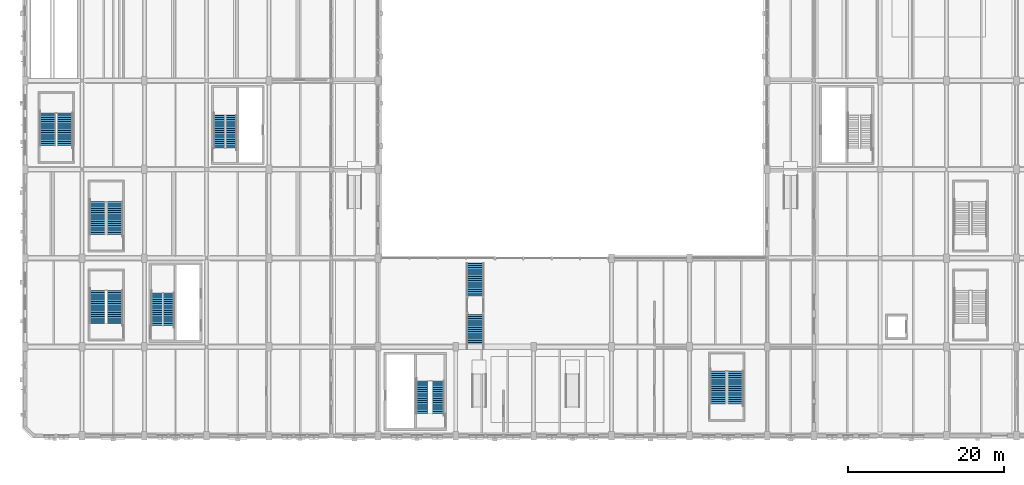
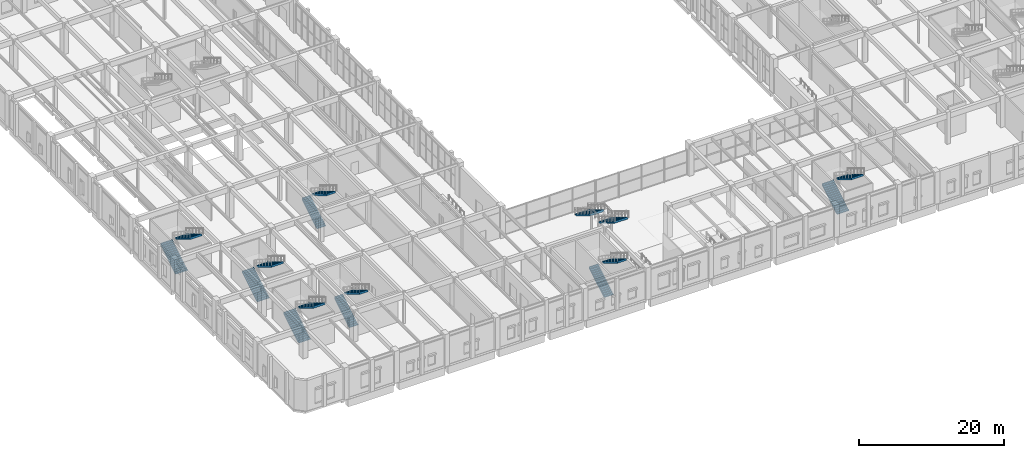
# One storey, part 94 of 113: 16 stair flights, 8 elements without a shape of their own.
"""IFC4 building model written with IfcOpenShell, lengths in metres."""

from ifc_helpers import new_model, si_unit, direction, frame, origin, place, context, subcontext, project, spatial, polyline, outline, extrude, material, type_object, element, aggregate, save


model = new_model("IFC4")

# Units and contexts
model_context = context("Model", 3, precision=1e-05, world=origin(), true_north=direction((0.0, 1.0)))
body_context = subcontext(model_context, "Body", "Model", "MODEL_VIEW")
ifc_project = project(units=[si_unit("LENGTHUNIT", "METRE"), si_unit("AREAUNIT", "SQUARE_METRE"), si_unit("VOLUMEUNIT", "CUBIC_METRE"), si_unit("PLANEANGLEUNIT", "RADIAN"), si_unit("MASSUNIT", "GRAM", prefix="KILO"), si_unit("POWERUNIT", "WATT"), si_unit("THERMODYNAMICTEMPERATUREUNIT", "KELVIN")], contexts=[model_context])

# Site, building, storey
site_placement = place(None, origin())
site = spatial("IfcSite", under=ifc_project, at=site_placement, CompositionType="ELEMENT")
building_placement = place(site_placement, origin())
building = spatial("IfcBuilding", under=site, at=building_placement, Name="Kelmbourne Parkland Aquatics Centre", CompositionType="ELEMENT")
storey_placement = place(building_placement, origin())
storey = spatial("IfcBuildingStorey", under=building, at=storey_placement, Name="L00", CompositionType="ELEMENT", Elevation=0.0)

# Stair, stair flights
ifc_material = material(Name="Concrete C40/50", Category="concrete")
stair_type_1 = type_object("IfcStairType", Name="ST-FS01", PredefinedType="TWO_STRAIGHT_RUN_STAIR", material=ifc_material)
stair_1_placement = place(storey_placement, origin())
stair_1 = element("IfcStair", 1, at=stair_1_placement, inside=storey, type_object=stair_type_1, Name="Grand Foyer Amphitheatre Feature Stair", PredefinedType="TWO_STRAIGHT_RUN_STAIR")
stair_flight_type_1 = type_object("IfcStairFlightType", Name="STF-FS01", PredefinedType="STRAIGHT", material=ifc_material)
stair_flight_1_placement = place(storey_placement, frame((58.5, 22.949951171875, 0.0), z_axis=(0.0, 0.0, 1.0), x_axis=(0.0, -1.0, 0.0)))
stair_flight_1 = element("IfcStairFlight", 2, at=stair_flight_1_placement, type_object=stair_flight_type_1, Name="Feature stair FS01 lower flight", NumberOfRisers=16, NumberOfTreads=15, PredefinedType="STRAIGHT", RiserHeight=0.16875, TreadLength=0.28, context=body_context, shape_type="SweptSolid", body=[
    extrude(outline(polyline([(-0.008056640625, 0.0), (-0.008056640625, 0.034912109375), (0.0, 0.034912109375), (0.0, 0.168701171875), (0.280029296875, 0.168701171875), (0.280029296875, 0.33740234375), (0.56005859375, 0.33740234375), (0.56005859375, 0.50634765625), (0.840087890625, 0.50634765625), (0.840087890625, 0.675048828125), (1.1201171875, 0.675048828125), (1.1201171875, 0.84375), (1.39990234375, 0.84375), (1.39990234375, 1.012451171875), (1.679931640625, 1.012451171875), (1.679931640625, 1.18115234375), (1.9599609375, 1.18115234375), (1.9599609375, 1.35009765625), (2.239990234375, 1.35009765625), (2.239990234375, 1.518798828125), (2.52001953125, 1.518798828125), (2.52001953125, 1.6875), (2.800048828125, 1.6875), (2.800048828125, 1.856201171875), (3.080078125, 1.856201171875), (3.080078125, 2.02490234375), (3.360107421875, 2.02490234375), (3.360107421875, 2.19384765625), (3.639892578125, 2.19384765625), (3.639892578125, 2.362548828125), (3.919921875, 2.362548828125), (3.919921875, 2.53125), (4.199951171875, 2.53125), (4.199951171875, 2.699951171875), (4.2080078125, 2.699951171875), (4.2080078125, 2.56005859375), (4.199951171875, 2.3212890625), (0.3486328125, 0.0), (-0.008056640625, 0.0)])), frame((0.0, 1.10009765625, 0.0), z_axis=(0.0, -1.0, 0.0), x_axis=(1.0, 0.0, 0.0)), (0.0, 0.0, 1.0), 2.199951171875),
])
stair_flight_2_placement = place(storey_placement, frame((58.5, 16.39990234375, 2.699951171875), z_axis=(0.0, 0.0, 1.0), x_axis=(0.0, -1.0, 0.0)))
stair_flight_2 = element("IfcStairFlight", 3, at=stair_flight_2_placement, type_object=stair_flight_type_1, Name="Feature stair FS01 upper flight", NumberOfRisers=16, NumberOfTreads=15, PredefinedType="STRAIGHT", RiserHeight=0.16875, TreadLength=0.28, context=body_context, shape_type="SweptSolid", body=[
    extrude(outline(polyline([(-0.008056640625, 0.0), (-0.008056640625, 0.034912109375), (0.0, 0.034912109375), (0.0, 0.168701171875), (0.280029296875, 0.168701171875), (0.280029296875, 0.33740234375), (0.56005859375, 0.33740234375), (0.56005859375, 0.50634765625), (0.840087890625, 0.50634765625), (0.840087890625, 0.675048828125), (1.1201171875, 0.675048828125), (1.1201171875, 0.84375), (1.39990234375, 0.84375), (1.39990234375, 1.012451171875), (1.679931640625, 1.012451171875), (1.679931640625, 1.18115234375), (1.9599609375, 1.18115234375), (1.9599609375, 1.35009765625), (2.239990234375, 1.35009765625), (2.239990234375, 1.518798828125), (2.52001953125, 1.518798828125), (2.52001953125, 1.6875), (2.800048828125, 1.6875), (2.800048828125, 1.856201171875), (3.080078125, 1.856201171875), (3.080078125, 2.02490234375), (3.360107421875, 2.02490234375), (3.360107421875, 2.19384765625), (3.639892578125, 2.19384765625), (3.639892578125, 2.362548828125), (3.919921875, 2.362548828125), (3.919921875, 2.53125), (4.199951171875, 2.53125), (4.199951171875, 2.699951171875), (4.2080078125, 2.699951171875), (4.2080078125, 2.56005859375), (4.199951171875, 2.3212890625), (0.3486328125, 0.0), (-0.008056640625, 0.0)])), frame((0.0, 1.10009765625, 0.0), z_axis=(0.0, -1.0, 0.0), x_axis=(1.0, 0.0, 0.0)), (0.0, 0.0, 1.0), 2.199951171875),
])
aggregate(stair_1, [stair_flight_1, stair_flight_2])

stair_type_2 = type_object("IfcStairType", Name="ST-T02", PredefinedType="HALF_TURN_STAIR", material=ifc_material)
stair_2_placement = place(storey_placement, origin())
stair_2 = element("IfcStair", 4, at=stair_2_placement, inside=storey, type_object=stair_type_2, Name="West Wing South Fire-Fighting Core Stair ST01 (L00)", PredefinedType="HALF_TURN_STAIR")
stair_flight_type_2 = type_object("IfcStairFlightType", Name="STF-T02", PredefinedType="STRAIGHT", material=ifc_material)
stair_flight_3_placement = place(storey_placement, frame((17.61376953125, 14.949951171875, 0.0), z_axis=(0.0, 0.0, 1.0), x_axis=(0.0, 1.0, 0.0)))
stair_flight_3 = element("IfcStairFlight", 5, at=stair_flight_3_placement, type_object=stair_flight_type_2, Name="West Wing South Fire-Fighting Core Stair ST01 lower flight (L00)", NumberOfRisers=16, NumberOfTreads=15, PredefinedType="STRAIGHT", RiserHeight=0.16875, TreadLength=0.28, context=body_context, shape_type="SweptSolid", body=[
    extrude(outline(polyline([(-0.008056640625, 0.0), (-0.008056640625, 0.034912109375), (0.0, 0.034912109375), (0.0, 0.168701171875), (0.280029296875, 0.168701171875), (0.280029296875, 0.33740234375), (0.56005859375, 0.33740234375), (0.56005859375, 0.50634765625), (0.840087890625, 0.50634765625), (0.840087890625, 0.675048828125), (1.1201171875, 0.675048828125), (1.1201171875, 0.84375), (1.39990234375, 0.84375), (1.39990234375, 1.012451171875), (1.679931640625, 1.012451171875), (1.679931640625, 1.18115234375), (1.9599609375, 1.18115234375), (1.9599609375, 1.35009765625), (2.239990234375, 1.35009765625), (2.239990234375, 1.518798828125), (2.52001953125, 1.518798828125), (2.52001953125, 1.6875), (2.800048828125, 1.6875), (2.800048828125, 1.856201171875), (3.080078125, 1.856201171875), (3.080078125, 2.02490234375), (3.360107421875, 2.02490234375), (3.360107421875, 2.19384765625), (3.639892578125, 2.19384765625), (3.639892578125, 2.362548828125), (3.919921875, 2.362548828125), (3.919921875, 2.53125), (4.199951171875, 2.53125), (4.199951171875, 2.699951171875), (4.2080078125, 2.699951171875), (4.2080078125, 2.56005859375), (4.199951171875, 2.344482421875), (0.309814453125, 0.0), (-0.008056640625, 0.0)])), frame((0.0, 0.69384765625, 0.0), z_axis=(0.0, -1.0, 0.0), x_axis=(1.0, 0.0, 0.0)), (0.0, 0.0, 1.0), 1.387451171875),
])
stair_flight_4_placement = place(storey_placement, frame((19.1611328125, 19.14990234375, 2.699951171875), z_axis=(0.0, 0.0, 1.0), x_axis=(0.0, -1.0, 0.0)))
stair_flight_4 = element("IfcStairFlight", 6, at=stair_flight_4_placement, type_object=stair_flight_type_2, Name="West Wing South Fire-Fighting Core Stair ST01 upper flight (L00)", NumberOfRisers=16, NumberOfTreads=15, PredefinedType="STRAIGHT", RiserHeight=0.16875, TreadLength=0.28, context=body_context, shape_type="SweptSolid", body=[
    extrude(outline(polyline([(-0.008056640625, 0.0), (-0.008056640625, 0.034912109375), (0.0, 0.034912109375), (0.0, 0.168701171875), (0.280029296875, 0.168701171875), (0.280029296875, 0.33740234375), (0.56005859375, 0.33740234375), (0.56005859375, 0.50634765625), (0.840087890625, 0.50634765625), (0.840087890625, 0.675048828125), (1.1201171875, 0.675048828125), (1.1201171875, 0.84375), (1.39990234375, 0.84375), (1.39990234375, 1.012451171875), (1.679931640625, 1.012451171875), (1.679931640625, 1.18115234375), (1.9599609375, 1.18115234375), (1.9599609375, 1.35009765625), (2.239990234375, 1.35009765625), (2.239990234375, 1.518798828125), (2.52001953125, 1.518798828125), (2.52001953125, 1.6875), (2.800048828125, 1.6875), (2.800048828125, 1.856201171875), (3.080078125, 1.856201171875), (3.080078125, 2.02490234375), (3.360107421875, 2.02490234375), (3.360107421875, 2.19384765625), (3.639892578125, 2.19384765625), (3.639892578125, 2.362548828125), (3.919921875, 2.362548828125), (3.919921875, 2.53125), (4.199951171875, 2.53125), (4.199951171875, 2.699951171875), (4.2080078125, 2.699951171875), (4.2080078125, 2.56005859375), (4.199951171875, 2.344482421875), (0.309814453125, 0.0), (-0.008056640625, 0.0)])), frame((0.0, 0.69384765625, 0.0), z_axis=(0.0, -1.0, 0.0), x_axis=(1.0, 0.0, 0.0)), (0.0, 0.0, 1.0), 1.387451171875),
])
aggregate(stair_2, [stair_flight_3, stair_flight_4])

stair_type_3 = type_object("IfcStairType", Name="ST-T07", PredefinedType="HALF_TURN_STAIR", material=ifc_material)
stair_3_placement = place(storey_placement, origin())
stair_3 = element("IfcStair", 7, at=stair_3_placement, inside=storey, type_object=stair_type_3, Name="West Wing North Passenger Core Stair ST02 (L00)", PredefinedType="HALF_TURN_STAIR")
stair_flight_type_3 = type_object("IfcStairFlightType", Name="STF-T07", PredefinedType="STRAIGHT", material=ifc_material)
stair_flight_5_placement = place(storey_placement, frame((25.61376953125, 37.75, 0.0), z_axis=(0.0, 0.0, 1.0), x_axis=(0.0, 1.0, 0.0)))
stair_flight_5 = element("IfcStairFlight", 8, at=stair_flight_5_placement, type_object=stair_flight_type_3, Name="West Wing North Passenger Core Stair ST02 lower flight (L00)", NumberOfRisers=16, NumberOfTreads=15, PredefinedType="STRAIGHT", RiserHeight=0.16875, TreadLength=0.28, context=body_context, shape_type="SweptSolid", body=[
    extrude(outline(polyline([(-0.008056640625, 0.0), (-0.008056640625, 0.034912109375), (0.0, 0.034912109375), (0.0, 0.168701171875), (0.280029296875, 0.168701171875), (0.280029296875, 0.33740234375), (0.56005859375, 0.33740234375), (0.56005859375, 0.50634765625), (0.840087890625, 0.50634765625), (0.840087890625, 0.675048828125), (1.1201171875, 0.675048828125), (1.1201171875, 0.84375), (1.39990234375, 0.84375), (1.39990234375, 1.012451171875), (1.679931640625, 1.012451171875), (1.679931640625, 1.18115234375), (1.9599609375, 1.18115234375), (1.9599609375, 1.35009765625), (2.239990234375, 1.35009765625), (2.239990234375, 1.518798828125), (2.52001953125, 1.518798828125), (2.52001953125, 1.6875), (2.800048828125, 1.6875), (2.800048828125, 1.856201171875), (3.080078125, 1.856201171875), (3.080078125, 2.02490234375), (3.360107421875, 2.02490234375), (3.360107421875, 2.19384765625), (3.639892578125, 2.19384765625), (3.639892578125, 2.362548828125), (3.919921875, 2.362548828125), (3.919921875, 2.53125), (4.199951171875, 2.53125), (4.199951171875, 2.699951171875), (4.2080078125, 2.699951171875), (4.2080078125, 2.56005859375), (4.199951171875, 2.344482421875), (0.309814453125, 0.0), (-0.008056640625, 0.0)])), frame((0.0, 0.69384765625, 0.0), z_axis=(0.0, -1.0, 0.0), x_axis=(1.0, 0.0, 0.0)), (0.0, 0.0, 1.0), 1.387451171875),
])
stair_flight_6_placement = place(storey_placement, frame((27.1611328125, 41.949951171875, 2.699951171875), z_axis=(0.0, 0.0, 1.0), x_axis=(0.0, -1.0, 0.0)))
stair_flight_6 = element("IfcStairFlight", 9, at=stair_flight_6_placement, type_object=stair_flight_type_3, Name="West Wing North Passenger Core Stair ST02 upper flight (L00)", NumberOfRisers=16, NumberOfTreads=15, PredefinedType="STRAIGHT", RiserHeight=0.16875, TreadLength=0.28, context=body_context, shape_type="SweptSolid", body=[
    extrude(outline(polyline([(-0.008056640625, 0.0), (-0.008056640625, 0.034912109375), (0.0, 0.034912109375), (0.0, 0.168701171875), (0.280029296875, 0.168701171875), (0.280029296875, 0.33740234375), (0.56005859375, 0.33740234375), (0.56005859375, 0.50634765625), (0.840087890625, 0.50634765625), (0.840087890625, 0.675048828125), (1.1201171875, 0.675048828125), (1.1201171875, 0.84375), (1.39990234375, 0.84375), (1.39990234375, 1.012451171875), (1.679931640625, 1.012451171875), (1.679931640625, 1.18115234375), (1.9599609375, 1.18115234375), (1.9599609375, 1.35009765625), (2.239990234375, 1.35009765625), (2.239990234375, 1.518798828125), (2.52001953125, 1.518798828125), (2.52001953125, 1.6875), (2.800048828125, 1.6875), (2.800048828125, 1.856201171875), (3.080078125, 1.856201171875), (3.080078125, 2.02490234375), (3.360107421875, 2.02490234375), (3.360107421875, 2.19384765625), (3.639892578125, 2.19384765625), (3.639892578125, 2.362548828125), (3.919921875, 2.362548828125), (3.919921875, 2.53125), (4.199951171875, 2.53125), (4.199951171875, 2.699951171875), (4.2080078125, 2.699951171875), (4.2080078125, 2.56005859375), (4.199951171875, 2.344482421875), (0.309814453125, 0.0), (-0.008056640625, 0.0)])), frame((0.0, 0.69384765625, 0.0), z_axis=(0.0, -1.0, 0.0), x_axis=(1.0, 0.0, 0.0)), (0.0, 0.0, 1.0), 1.387451171875),
])
aggregate(stair_3, [stair_flight_5, stair_flight_6])

stair_type_4 = type_object("IfcStairType", Name="ST-T11", PredefinedType="HALF_TURN_STAIR", material=ifc_material)
stair_4_placement = place(storey_placement, origin())
stair_4 = element("IfcStair", 10, at=stair_4_placement, inside=storey, type_object=stair_type_4, Name="South Entrance Foyer Gallery Core Stair ST03 (L00)", PredefinedType="HALF_TURN_STAIR")
stair_flight_type_4 = type_object("IfcStairFlightType", Name="STF-T11", PredefinedType="STRAIGHT", material=ifc_material)
stair_flight_7_placement = place(storey_placement, frame((51.669921875, 3.64990234375, 0.0), z_axis=(0.0, 0.0, 1.0), x_axis=(0.0, 1.0, 0.0)))
stair_flight_7 = element("IfcStairFlight", 11, at=stair_flight_7_placement, type_object=stair_flight_type_4, Name="South Entrance Foyer Gallery Core Stair ST03 lower flight (L00)", NumberOfRisers=16, NumberOfTreads=15, PredefinedType="STRAIGHT", RiserHeight=0.16875, TreadLength=0.28, context=body_context, shape_type="SweptSolid", body=[
    extrude(outline(polyline([(-0.008056640625, 0.0), (-0.008056640625, 0.034912109375), (0.0, 0.034912109375), (0.0, 0.168701171875), (0.280029296875, 0.168701171875), (0.280029296875, 0.33740234375), (0.56005859375, 0.33740234375), (0.56005859375, 0.50634765625), (0.840087890625, 0.50634765625), (0.840087890625, 0.675048828125), (1.1201171875, 0.675048828125), (1.1201171875, 0.84375), (1.39990234375, 0.84375), (1.39990234375, 1.012451171875), (1.679931640625, 1.012451171875), (1.679931640625, 1.18115234375), (1.9599609375, 1.18115234375), (1.9599609375, 1.35009765625), (2.239990234375, 1.35009765625), (2.239990234375, 1.518798828125), (2.52001953125, 1.518798828125), (2.52001953125, 1.6875), (2.800048828125, 1.6875), (2.800048828125, 1.856201171875), (3.080078125, 1.856201171875), (3.080078125, 2.02490234375), (3.360107421875, 2.02490234375), (3.360107421875, 2.19384765625), (3.639892578125, 2.19384765625), (3.639892578125, 2.362548828125), (3.919921875, 2.362548828125), (3.919921875, 2.53125), (4.199951171875, 2.53125), (4.199951171875, 2.699951171875), (4.2080078125, 2.699951171875), (4.2080078125, 2.56005859375), (4.199951171875, 2.344482421875), (0.309814453125, 0.0), (-0.008056640625, 0.0)])), frame((0.0, 0.72509765625, 0.0), z_axis=(0.0, -1.0, 0.0), x_axis=(1.0, 0.0, 0.0)), (0.0, 0.0, 1.0), 1.449951171875),
])
stair_flight_8_placement = place(storey_placement, frame((53.7548828125, 7.85009765625, 2.699951171875), z_axis=(0.0, 0.0, 1.0), x_axis=(0.0, -1.0, 0.0)))
stair_flight_8 = element("IfcStairFlight", 12, at=stair_flight_8_placement, type_object=stair_flight_type_4, Name="South Entrance Foyer Gallery Core Stair ST03 upper flight (L00)", NumberOfRisers=16, NumberOfTreads=15, PredefinedType="STRAIGHT", RiserHeight=0.16875, TreadLength=0.28, context=body_context, shape_type="SweptSolid", body=[
    extrude(outline(polyline([(-0.008056640625, 0.0), (-0.008056640625, 0.034912109375), (0.0, 0.034912109375), (0.0, 0.168701171875), (0.280029296875, 0.168701171875), (0.280029296875, 0.33740234375), (0.56005859375, 0.33740234375), (0.56005859375, 0.50634765625), (0.840087890625, 0.50634765625), (0.840087890625, 0.675048828125), (1.1201171875, 0.675048828125), (1.1201171875, 0.84375), (1.39990234375, 0.84375), (1.39990234375, 1.012451171875), (1.679931640625, 1.012451171875), (1.679931640625, 1.18115234375), (1.9599609375, 1.18115234375), (1.9599609375, 1.35009765625), (2.239990234375, 1.35009765625), (2.239990234375, 1.518798828125), (2.52001953125, 1.518798828125), (2.52001953125, 1.6875), (2.800048828125, 1.6875), (2.800048828125, 1.856201171875), (3.080078125, 1.856201171875), (3.080078125, 2.02490234375), (3.360107421875, 2.02490234375), (3.360107421875, 2.19384765625), (3.639892578125, 2.19384765625), (3.639892578125, 2.362548828125), (3.919921875, 2.362548828125), (3.919921875, 2.53125), (4.199951171875, 2.53125), (4.199951171875, 2.699951171875), (4.2080078125, 2.699951171875), (4.2080078125, 2.56005859375), (4.199951171875, 2.344482421875), (0.309814453125, 0.0), (-0.008056640625, 0.0)])), frame((0.0, 0.72509765625, 0.0), z_axis=(0.0, -1.0, 0.0), x_axis=(1.0, 0.0, 0.0)), (0.0, 0.0, 1.0), 1.449951171875),
])
aggregate(stair_4, [stair_flight_7, stair_flight_8])

stair_type_5 = type_object("IfcStairType", Name="ST-T21", PredefinedType="HALF_TURN_STAIR", material=ifc_material)
stair_5_placement = place(storey_placement, origin())
stair_5 = element("IfcStair", 13, at=stair_5_placement, inside=storey, type_object=stair_type_5, Name="West South Perimeter Exit Stair (L00)", PredefinedType="HALF_TURN_STAIR")
stair_flight_type_5 = type_object("IfcStairFlightType", Name="STF-T21", PredefinedType="STRAIGHT", material=ifc_material)
stair_flight_9_placement = place(storey_placement, frame((9.969970703125, 15.25, 0.0), z_axis=(0.0, 0.0, 1.0), x_axis=(0.0, 1.0, 0.0)))
stair_flight_9 = element("IfcStairFlight", 14, at=stair_flight_9_placement, type_object=stair_flight_type_5, Name="West South Perimeter Exit Stair lower flight (L00)", NumberOfRisers=16, NumberOfTreads=15, PredefinedType="STRAIGHT", RiserHeight=0.16875, TreadLength=0.28, context=body_context, shape_type="SweptSolid", body=[
    extrude(outline(polyline([(-0.008056640625, 0.0), (-0.008056640625, 0.034912109375), (0.0, 0.034912109375), (0.0, 0.168701171875), (0.280029296875, 0.168701171875), (0.280029296875, 0.33740234375), (0.56005859375, 0.33740234375), (0.56005859375, 0.50634765625), (0.840087890625, 0.50634765625), (0.840087890625, 0.675048828125), (1.1201171875, 0.675048828125), (1.1201171875, 0.84375), (1.39990234375, 0.84375), (1.39990234375, 1.012451171875), (1.679931640625, 1.012451171875), (1.679931640625, 1.18115234375), (1.9599609375, 1.18115234375), (1.9599609375, 1.35009765625), (2.239990234375, 1.35009765625), (2.239990234375, 1.518798828125), (2.52001953125, 1.518798828125), (2.52001953125, 1.6875), (2.800048828125, 1.6875), (2.800048828125, 1.856201171875), (3.080078125, 1.856201171875), (3.080078125, 2.02490234375), (3.360107421875, 2.02490234375), (3.360107421875, 2.19384765625), (3.639892578125, 2.19384765625), (3.639892578125, 2.362548828125), (3.919921875, 2.362548828125), (3.919921875, 2.53125), (4.199951171875, 2.53125), (4.199951171875, 2.699951171875), (4.2080078125, 2.699951171875), (4.2080078125, 2.56005859375), (4.199951171875, 2.344482421875), (0.309814453125, 0.0), (-0.008056640625, 0.0)])), frame((0.0, 0.949951171875, 0.0), z_axis=(0.0, -1.0, 0.0), x_axis=(1.0, 0.0, 0.0)), (0.0, 0.0, 1.0), 1.89990234375),
])
stair_flight_10_placement = place(storey_placement, frame((12.22998046875, 19.449951171875, 2.699951171875), z_axis=(0.0, 0.0, 1.0), x_axis=(0.0, -1.0, 0.0)))
stair_flight_10 = element("IfcStairFlight", 15, at=stair_flight_10_placement, type_object=stair_flight_type_5, Name="West South Perimeter Exit Stair upper flight (L00)", NumberOfRisers=16, NumberOfTreads=15, PredefinedType="STRAIGHT", RiserHeight=0.16875, TreadLength=0.28, context=body_context, shape_type="SweptSolid", body=[
    extrude(outline(polyline([(-0.008056640625, 0.0), (-0.008056640625, 0.034912109375), (0.0, 0.034912109375), (0.0, 0.168701171875), (0.280029296875, 0.168701171875), (0.280029296875, 0.33740234375), (0.56005859375, 0.33740234375), (0.56005859375, 0.50634765625), (0.840087890625, 0.50634765625), (0.840087890625, 0.675048828125), (1.1201171875, 0.675048828125), (1.1201171875, 0.84375), (1.39990234375, 0.84375), (1.39990234375, 1.012451171875), (1.679931640625, 1.012451171875), (1.679931640625, 1.18115234375), (1.9599609375, 1.18115234375), (1.9599609375, 1.35009765625), (2.239990234375, 1.35009765625), (2.239990234375, 1.518798828125), (2.52001953125, 1.518798828125), (2.52001953125, 1.6875), (2.800048828125, 1.6875), (2.800048828125, 1.856201171875), (3.080078125, 1.856201171875), (3.080078125, 2.02490234375), (3.360107421875, 2.02490234375), (3.360107421875, 2.19384765625), (3.639892578125, 2.19384765625), (3.639892578125, 2.362548828125), (3.919921875, 2.362548828125), (3.919921875, 2.53125), (4.199951171875, 2.53125), (4.199951171875, 2.699951171875), (4.2080078125, 2.699951171875), (4.2080078125, 2.56005859375), (4.199951171875, 2.344482421875), (0.309814453125, 0.0), (-0.008056640625, 0.0)])), frame((0.0, 0.949951171875, 0.0), z_axis=(0.0, -1.0, 0.0), x_axis=(1.0, 0.0, 0.0)), (0.0, 0.0, 1.0), 1.89990234375),
])
aggregate(stair_5, [stair_flight_9, stair_flight_10])

stair_type_6 = type_object("IfcStairType", Name="ST-T25", PredefinedType="HALF_TURN_STAIR", material=ifc_material)
stair_6_placement = place(storey_placement, origin())
stair_6 = element("IfcStair", 16, at=stair_6_placement, inside=storey, type_object=stair_type_6, Name="West Central Park Exit Stair (L00)", PredefinedType="HALF_TURN_STAIR")
stair_flight_type_6 = type_object("IfcStairFlightType", Name="STF-T25", PredefinedType="STRAIGHT", material=ifc_material)
stair_flight_11_placement = place(storey_placement, frame((9.969970703125, 26.64990234375, 0.0), z_axis=(0.0, 0.0, 1.0), x_axis=(0.0, 1.0, 0.0)))
stair_flight_11 = element("IfcStairFlight", 17, at=stair_flight_11_placement, type_object=stair_flight_type_6, Name="West Central Park Exit Stair lower flight (L00)", NumberOfRisers=16, NumberOfTreads=15, PredefinedType="STRAIGHT", RiserHeight=0.16875, TreadLength=0.28, context=body_context, shape_type="SweptSolid", body=[
    extrude(outline(polyline([(-0.008056640625, 0.0), (-0.008056640625, 0.034912109375), (0.0, 0.034912109375), (0.0, 0.168701171875), (0.280029296875, 0.168701171875), (0.280029296875, 0.33740234375), (0.56005859375, 0.33740234375), (0.56005859375, 0.50634765625), (0.840087890625, 0.50634765625), (0.840087890625, 0.675048828125), (1.1201171875, 0.675048828125), (1.1201171875, 0.84375), (1.39990234375, 0.84375), (1.39990234375, 1.012451171875), (1.679931640625, 1.012451171875), (1.679931640625, 1.18115234375), (1.9599609375, 1.18115234375), (1.9599609375, 1.35009765625), (2.239990234375, 1.35009765625), (2.239990234375, 1.518798828125), (2.52001953125, 1.518798828125), (2.52001953125, 1.6875), (2.800048828125, 1.6875), (2.800048828125, 1.856201171875), (3.080078125, 1.856201171875), (3.080078125, 2.02490234375), (3.360107421875, 2.02490234375), (3.360107421875, 2.19384765625), (3.639892578125, 2.19384765625), (3.639892578125, 2.362548828125), (3.919921875, 2.362548828125), (3.919921875, 2.53125), (4.199951171875, 2.53125), (4.199951171875, 2.699951171875), (4.2080078125, 2.699951171875), (4.2080078125, 2.56005859375), (4.199951171875, 2.344482421875), (0.309814453125, 0.0), (-0.008056640625, 0.0)])), frame((0.0, 0.949951171875, 0.0), z_axis=(0.0, -1.0, 0.0), x_axis=(1.0, 0.0, 0.0)), (0.0, 0.0, 1.0), 1.89990234375),
])
stair_flight_12_placement = place(storey_placement, frame((12.22998046875, 30.85009765625, 2.699951171875), z_axis=(0.0, 0.0, 1.0), x_axis=(0.0, -1.0, 0.0)))
stair_flight_12 = element("IfcStairFlight", 18, at=stair_flight_12_placement, type_object=stair_flight_type_6, Name="West Central Park Exit Stair upper flight (L00)", NumberOfRisers=16, NumberOfTreads=15, PredefinedType="STRAIGHT", RiserHeight=0.16875, TreadLength=0.28, context=body_context, shape_type="SweptSolid", body=[
    extrude(outline(polyline([(-0.008056640625, 0.0), (-0.008056640625, 0.034912109375), (0.0, 0.034912109375), (0.0, 0.168701171875), (0.280029296875, 0.168701171875), (0.280029296875, 0.33740234375), (0.56005859375, 0.33740234375), (0.56005859375, 0.50634765625), (0.840087890625, 0.50634765625), (0.840087890625, 0.675048828125), (1.1201171875, 0.675048828125), (1.1201171875, 0.84375), (1.39990234375, 0.84375), (1.39990234375, 1.012451171875), (1.679931640625, 1.012451171875), (1.679931640625, 1.18115234375), (1.9599609375, 1.18115234375), (1.9599609375, 1.35009765625), (2.239990234375, 1.35009765625), (2.239990234375, 1.518798828125), (2.52001953125, 1.518798828125), (2.52001953125, 1.6875), (2.800048828125, 1.6875), (2.800048828125, 1.856201171875), (3.080078125, 1.856201171875), (3.080078125, 2.02490234375), (3.360107421875, 2.02490234375), (3.360107421875, 2.19384765625), (3.639892578125, 2.19384765625), (3.639892578125, 2.362548828125), (3.919921875, 2.362548828125), (3.919921875, 2.53125), (4.199951171875, 2.53125), (4.199951171875, 2.699951171875), (4.2080078125, 2.699951171875), (4.2080078125, 2.56005859375), (4.199951171875, 2.344482421875), (0.309814453125, 0.0), (-0.008056640625, 0.0)])), frame((0.0, 0.949951171875, 0.0), z_axis=(0.0, -1.0, 0.0), x_axis=(1.0, 0.0, 0.0)), (0.0, 0.0, 1.0), 1.89990234375),
])
aggregate(stair_6, [stair_flight_11, stair_flight_12])

stair_type_7 = type_object("IfcStairType", Name="ST-T28", PredefinedType="HALF_TURN_STAIR", material=ifc_material)
stair_7_placement = place(storey_placement, origin())
stair_7 = element("IfcStair", 19, at=stair_7_placement, inside=storey, type_object=stair_type_7, Name="West Hydrotherapy Exit Stair (L00)", PredefinedType="HALF_TURN_STAIR")
stair_flight_type_7 = type_object("IfcStairFlightType", Name="STF-T28", PredefinedType="STRAIGHT", material=ifc_material)
stair_flight_13_placement = place(storey_placement, frame((3.570068359375, 38.050048828125, 0.0), z_axis=(0.0, 0.0, 1.0), x_axis=(0.0, 1.0, 0.0)))
stair_flight_13 = element("IfcStairFlight", 20, at=stair_flight_13_placement, type_object=stair_flight_type_7, Name="West Hydrotherapy Exit Stair lower flight (L00)", NumberOfRisers=16, NumberOfTreads=15, PredefinedType="STRAIGHT", RiserHeight=0.16875, TreadLength=0.28, context=body_context, shape_type="SweptSolid", body=[
    extrude(outline(polyline([(-0.008056640625, 0.0), (-0.008056640625, 0.034912109375), (0.0, 0.034912109375), (0.0, 0.168701171875), (0.280029296875, 0.168701171875), (0.280029296875, 0.33740234375), (0.56005859375, 0.33740234375), (0.56005859375, 0.50634765625), (0.840087890625, 0.50634765625), (0.840087890625, 0.675048828125), (1.1201171875, 0.675048828125), (1.1201171875, 0.84375), (1.39990234375, 0.84375), (1.39990234375, 1.012451171875), (1.679931640625, 1.012451171875), (1.679931640625, 1.18115234375), (1.9599609375, 1.18115234375), (1.9599609375, 1.35009765625), (2.239990234375, 1.35009765625), (2.239990234375, 1.518798828125), (2.52001953125, 1.518798828125), (2.52001953125, 1.6875), (2.800048828125, 1.6875), (2.800048828125, 1.856201171875), (3.080078125, 1.856201171875), (3.080078125, 2.02490234375), (3.360107421875, 2.02490234375), (3.360107421875, 2.19384765625), (3.639892578125, 2.19384765625), (3.639892578125, 2.362548828125), (3.919921875, 2.362548828125), (3.919921875, 2.53125), (4.199951171875, 2.53125), (4.199951171875, 2.699951171875), (4.2080078125, 2.699951171875), (4.2080078125, 2.56005859375), (4.199951171875, 2.344482421875), (0.309814453125, 0.0), (-0.008056640625, 0.0)])), frame((0.0, 0.949951171875, 0.0), z_axis=(0.0, -1.0, 0.0), x_axis=(1.0, 0.0, 0.0)), (0.0, 0.0, 1.0), 1.89990234375),
])
stair_flight_14_placement = place(storey_placement, frame((5.830078125, 42.25, 2.699951171875), z_axis=(0.0, 0.0, 1.0), x_axis=(0.0, -1.0, 0.0)))
stair_flight_14 = element("IfcStairFlight", 21, at=stair_flight_14_placement, type_object=stair_flight_type_7, Name="West Hydrotherapy Exit Stair upper flight (L00)", NumberOfRisers=16, NumberOfTreads=15, PredefinedType="STRAIGHT", RiserHeight=0.16875, TreadLength=0.28, context=body_context, shape_type="SweptSolid", body=[
    extrude(outline(polyline([(-0.008056640625, 0.0), (-0.008056640625, 0.034912109375), (0.0, 0.034912109375), (0.0, 0.168701171875), (0.280029296875, 0.168701171875), (0.280029296875, 0.33740234375), (0.56005859375, 0.33740234375), (0.56005859375, 0.50634765625), (0.840087890625, 0.50634765625), (0.840087890625, 0.675048828125), (1.1201171875, 0.675048828125), (1.1201171875, 0.84375), (1.39990234375, 0.84375), (1.39990234375, 1.012451171875), (1.679931640625, 1.012451171875), (1.679931640625, 1.18115234375), (1.9599609375, 1.18115234375), (1.9599609375, 1.35009765625), (2.239990234375, 1.35009765625), (2.239990234375, 1.518798828125), (2.52001953125, 1.518798828125), (2.52001953125, 1.6875), (2.800048828125, 1.6875), (2.800048828125, 1.856201171875), (3.080078125, 1.856201171875), (3.080078125, 2.02490234375), (3.360107421875, 2.02490234375), (3.360107421875, 2.19384765625), (3.639892578125, 2.19384765625), (3.639892578125, 2.362548828125), (3.919921875, 2.362548828125), (3.919921875, 2.53125), (4.199951171875, 2.53125), (4.199951171875, 2.699951171875), (4.2080078125, 2.699951171875), (4.2080078125, 2.56005859375), (4.199951171875, 2.344482421875), (0.309814453125, 0.0), (-0.008056640625, 0.0)])), frame((0.0, 0.949951171875, 0.0), z_axis=(0.0, -1.0, 0.0), x_axis=(1.0, 0.0, 0.0)), (0.0, 0.0, 1.0), 1.89990234375),
])
aggregate(stair_7, [stair_flight_13, stair_flight_14])

stair_type_8 = type_object("IfcStairType", Name="ST-T37", PredefinedType="HALF_TURN_STAIR", material=ifc_material)
stair_8_placement = place(storey_placement, origin())
stair_8 = element("IfcStair", 22, at=stair_8_placement, inside=storey, type_object=stair_type_8, Name="Foyer East Gallery Exit Stair (L00)", PredefinedType="HALF_TURN_STAIR")
stair_flight_type_8 = type_object("IfcStairFlightType", Name="STF-T37", PredefinedType="STRAIGHT", material=ifc_material)
stair_flight_15_placement = place(storey_placement, frame((89.669921875, 4.89990234375, 0.0), z_axis=(0.0, 0.0, 1.0), x_axis=(0.0, 1.0, 0.0)))
stair_flight_15 = element("IfcStairFlight", 23, at=stair_flight_15_placement, type_object=stair_flight_type_8, Name="Foyer East Gallery Exit Stair lower flight (L00)", NumberOfRisers=16, NumberOfTreads=15, PredefinedType="STRAIGHT", RiserHeight=0.16875, TreadLength=0.28, context=body_context, shape_type="SweptSolid", body=[
    extrude(outline(polyline([(-0.008056640625, 0.0), (-0.008056640625, 0.034912109375), (0.0, 0.034912109375), (0.0, 0.168701171875), (0.280029296875, 0.168701171875), (0.280029296875, 0.33740234375), (0.56005859375, 0.33740234375), (0.56005859375, 0.50634765625), (0.840087890625, 0.50634765625), (0.840087890625, 0.675048828125), (1.1201171875, 0.675048828125), (1.1201171875, 0.84375), (1.39990234375, 0.84375), (1.39990234375, 1.012451171875), (1.679931640625, 1.012451171875), (1.679931640625, 1.18115234375), (1.9599609375, 1.18115234375), (1.9599609375, 1.35009765625), (2.239990234375, 1.35009765625), (2.239990234375, 1.518798828125), (2.52001953125, 1.518798828125), (2.52001953125, 1.6875), (2.800048828125, 1.6875), (2.800048828125, 1.856201171875), (3.080078125, 1.856201171875), (3.080078125, 2.02490234375), (3.360107421875, 2.02490234375), (3.360107421875, 2.19384765625), (3.639892578125, 2.19384765625), (3.639892578125, 2.362548828125), (3.919921875, 2.362548828125), (3.919921875, 2.53125), (4.199951171875, 2.53125), (4.199951171875, 2.699951171875), (4.2080078125, 2.699951171875), (4.2080078125, 2.56005859375), (4.199951171875, 2.344482421875), (0.309814453125, 0.0), (-0.008056640625, 0.0)])), frame((0.0, 0.949951171875, 0.0), z_axis=(0.0, -1.0, 0.0), x_axis=(1.0, 0.0, 0.0)), (0.0, 0.0, 1.0), 1.89990234375),
])
stair_flight_16_placement = place(storey_placement, frame((91.929931640625, 9.10009765625, 2.699951171875), z_axis=(0.0, 0.0, 1.0), x_axis=(0.0, -1.0, 0.0)))
stair_flight_16 = element("IfcStairFlight", 24, at=stair_flight_16_placement, type_object=stair_flight_type_8, Name="Foyer East Gallery Exit Stair upper flight (L00)", NumberOfRisers=16, NumberOfTreads=15, PredefinedType="STRAIGHT", RiserHeight=0.16875, TreadLength=0.28, context=body_context, shape_type="SweptSolid", body=[
    extrude(outline(polyline([(-0.008056640625, 0.0), (-0.008056640625, 0.034912109375), (0.0, 0.034912109375), (0.0, 0.168701171875), (0.280029296875, 0.168701171875), (0.280029296875, 0.33740234375), (0.56005859375, 0.33740234375), (0.56005859375, 0.50634765625), (0.840087890625, 0.50634765625), (0.840087890625, 0.675048828125), (1.1201171875, 0.675048828125), (1.1201171875, 0.84375), (1.39990234375, 0.84375), (1.39990234375, 1.012451171875), (1.679931640625, 1.012451171875), (1.679931640625, 1.18115234375), (1.9599609375, 1.18115234375), (1.9599609375, 1.35009765625), (2.239990234375, 1.35009765625), (2.239990234375, 1.518798828125), (2.52001953125, 1.518798828125), (2.52001953125, 1.6875), (2.800048828125, 1.6875), (2.800048828125, 1.856201171875), (3.080078125, 1.856201171875), (3.080078125, 2.02490234375), (3.360107421875, 2.02490234375), (3.360107421875, 2.19384765625), (3.639892578125, 2.19384765625), (3.639892578125, 2.362548828125), (3.919921875, 2.362548828125), (3.919921875, 2.53125), (4.199951171875, 2.53125), (4.199951171875, 2.699951171875), (4.2080078125, 2.699951171875), (4.2080078125, 2.56005859375), (4.199951171875, 2.344482421875), (0.309814453125, 0.0), (-0.008056640625, 0.0)])), frame((0.0, 0.949951171875, 0.0), z_axis=(0.0, -1.0, 0.0), x_axis=(1.0, 0.0, 0.0)), (0.0, 0.0, 1.0), 1.89990234375),
])
aggregate(stair_8, [stair_flight_15, stair_flight_16])

save(model, "model.ifc")
